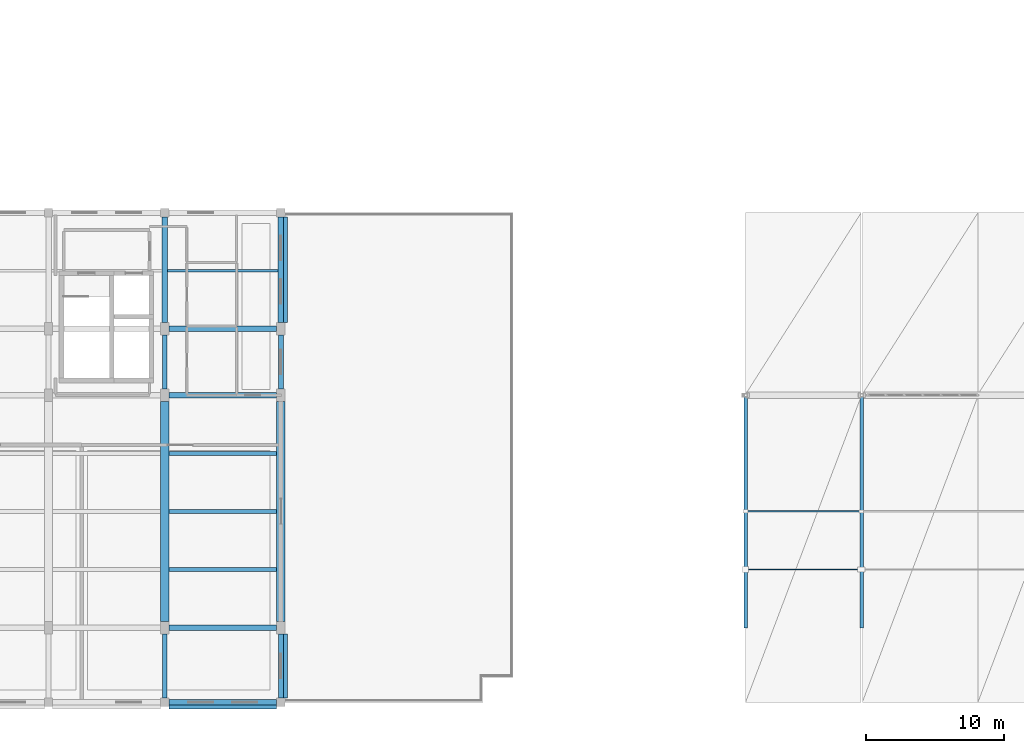
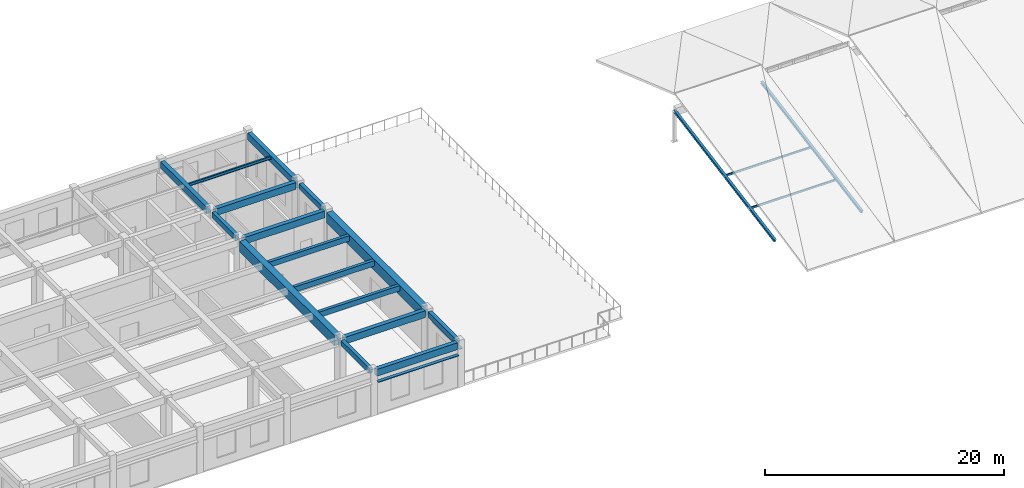
# One storey, part 23 of 76: 16 beams, 7 members.
"""IFC4 building model written with IfcOpenShell, lengths in metres."""

from ifc_helpers import new_model, si_unit, direction, frame, origin, origin_2d, place, context, subcontext, project, spatial, rectangle, hollow_rectangle, i_section, extrude, material, material_profile, profile_set, type_object, element, save


model = new_model("IFC4")

# Units and contexts
model_context = context("Model", 3, precision=1e-05, world=origin(), true_north=direction((0.0, 1.0)))
body_context = subcontext(model_context, "Body", "Model", "MODEL_VIEW")
ifc_project = project(units=[si_unit("LENGTHUNIT", "METRE"), si_unit("AREAUNIT", "SQUARE_METRE"), si_unit("VOLUMEUNIT", "CUBIC_METRE"), si_unit("PLANEANGLEUNIT", "RADIAN"), si_unit("MASSUNIT", "GRAM", prefix="KILO")], contexts=[model_context])

# Site, building, storey
site_placement = place(None, origin())
site = spatial("IfcSite", under=ifc_project, at=site_placement, CompositionType="ELEMENT")
building_placement = place(site_placement, origin())
building = spatial("IfcBuilding", under=site, at=building_placement, Name="Krzemoval Escarpment Law Courts", CompositionType="ELEMENT")
storey_placement = place(building_placement, frame((0.0, 0.0, 20.39990234375)))
storey = spatial("IfcBuildingStorey", under=building, at=storey_placement, Name="L04", CompositionType="ELEMENT", Elevation=20.39990234375)

# Beams
ifc_material_1 = material(Name="Concrete C50/60", Category="concrete")
ifc_material_profile_1 = material_profile(ifc_material_1, rectangle(XDim=0.60009765625, YDim=1.050048828125, at=origin_2d()), Name="PTG 600x1050")
ifc_profile_set_1 = profile_set([ifc_material_profile_1], Name="Concrete C50/60")
beam_type_1 = type_object("IfcBeamType", Name="BM-PTG-600x1050", PredefinedType="BEAM", material=ifc_profile_set_1)
for number, where, z_axis, x_axis, name in (
    (1, (67.199951171875, 5.85009765625, 4.025146484375), (0.0, 1.0, 0.0), (-1.0, 0.0, 0.0), "Beam FG-L04-2499"),
    (2, (75.60009765625, 5.85009765625, 4.025146484375), (0.0, 1.0, 0.0), (-1.0, 0.0, 0.0), "Beam FG-L04-2503"),
):
    element("IfcBeam", number, at=place(storey_placement, frame(where, z_axis=z_axis, x_axis=x_axis)), inside=storey, type_object=beam_type_1, Name=name, PredefinedType="BEAM", context=body_context, shape_type="SweptSolid", body=[
        extrude(rectangle(XDim=0.60009765625, YDim=1.050048828125, at=origin_2d()), origin(), (0.0, 0.0, 1.0), 15.89990234375),
    ])
ifc_material_2 = material(Name="Concrete C40/50", Category="concrete")
ifc_material_profile_2 = material_profile(ifc_material_2, rectangle(XDim=0.35009765625, YDim=0.550048828125, at=origin_2d()), Name="RCB 350x550")
ifc_profile_set_2 = profile_set([ifc_material_profile_2], Name="Concrete C40/50")
beam_type_2 = type_object("IfcBeamType", Name="BM-RC-350x550", PredefinedType="BEAM", material=ifc_profile_set_2)
beam_1_placement = place(storey_placement, frame((67.199951171875, 0.300048828125, 4.275146484375), z_axis=(0.0, 1.0, 0.0), x_axis=(-1.0, 0.0, 0.0)))
element("IfcBeam", 3, at=beam_1_placement, inside=storey, type_object=beam_type_2, Name="Beam FG-L04-2498", PredefinedType="BEAM", context=body_context, shape_type="SweptSolid", body=[
    extrude(rectangle(XDim=0.35009765625, YDim=0.550048828125, at=origin_2d()), origin(), (0.0, 0.0, 1.0), 4.64990234375),
])
beam_2_placement = place(storey_placement, frame((67.199951171875, 22.64990234375, 4.275146484375), z_axis=(0.0, 1.0, 0.0), x_axis=(-1.0, 0.0, 0.0)))
element("IfcBeam", 4, at=beam_2_placement, inside=storey, type_object=beam_type_2, Name="Beam FG-L04-2500", PredefinedType="BEAM", context=body_context, shape_type="SweptSolid", body=[
    extrude(rectangle(XDim=0.35009765625, YDim=0.550048828125, at=origin_2d()), origin(), (0.0, 0.0, 1.0), 3.900146484375),
])
beam_3_placement = place(storey_placement, frame((75.60009765625, 0.300048828125, 4.275146484375), z_axis=(0.0, 1.0, 0.0), x_axis=(-1.0, 0.0, 0.0)))
element("IfcBeam", 5, at=beam_3_placement, inside=storey, type_object=beam_type_2, Name="Beam FG-L04-2502", PredefinedType="BEAM", context=body_context, shape_type="SweptSolid", body=[
    extrude(rectangle(XDim=0.35009765625, YDim=0.550048828125, at=origin_2d()), origin(), (0.0, 0.0, 1.0), 4.64990234375),
])
beam_4_placement = place(storey_placement, frame((75.60009765625, 22.64990234375, 4.275146484375), z_axis=(0.0, 1.0, 0.0), x_axis=(-1.0, 0.0, 0.0)))
element("IfcBeam", 6, at=beam_4_placement, inside=storey, type_object=beam_type_2, Name="Beam FG-L04-2504", PredefinedType="BEAM", context=body_context, shape_type="SweptSolid", body=[
    extrude(rectangle(XDim=0.35009765625, YDim=0.550048828125, at=origin_2d()), origin(), (0.0, 0.0, 1.0), 3.900146484375),
])
ifc_material_3 = material(Name="Concrete C40/50", Category="concrete")
ifc_material_profile_3 = material_profile(ifc_material_3, rectangle(XDim=0.39990234375, YDim=0.699951171875, at=origin_2d()), Name="RCB 400x700")
ifc_profile_set_3 = profile_set([ifc_material_profile_3], Name="Concrete C40/50")
beam_type_3 = type_object("IfcBeamType", Name="BM-RC-400x700", PredefinedType="BEAM", material=ifc_profile_set_3)
for number, where, z_axis, x_axis, name in (
    (7, (67.5, 0.0, 4.2001953125), (1.0, 0.0, 0.0), (0.0, 1.0, 0.0), "Beam FG-L04-2428"),
    (8, (67.5, 5.39990234375, 4.2001953125), (1.0, 0.0, 0.0), (0.0, 1.0, 0.0), "Beam FG-L04-2433"),
    (9, (67.5, 22.199951171875, 4.2001953125), (1.0, 0.0, 0.0), (0.0, 1.0, 0.0), "Beam FG-L04-2438"),
    (10, (67.5, 27.0, 4.2001953125), (1.0, 0.0, 0.0), (0.0, 1.0, 0.0), "Beam FG-L04-2443"),
):
    element("IfcBeam", number, at=place(storey_placement, frame(where, z_axis=z_axis, x_axis=x_axis)), inside=storey, type_object=beam_type_3, Name=name, PredefinedType="BEAM", context=body_context, shape_type="SweptSolid", body=[
        extrude(rectangle(XDim=0.39990234375, YDim=0.699951171875, at=origin_2d()), origin(), (0.0, 0.0, 1.0), 7.800048828125),
    ])
for number, where, z_axis, x_axis, name in (
    (11, (67.199951171875, 27.449951171875, 4.2001953125), (0.0, 1.0, 0.0), (-1.0, 0.0, 0.0), "Beam FG-L04-2501"),
    (12, (75.60009765625, 27.449951171875, 4.2001953125), (0.0, 1.0, 0.0), (-1.0, 0.0, 0.0), "Beam FG-L04-2505"),
):
    element("IfcBeam", number, at=place(storey_placement, frame(where, z_axis=z_axis, x_axis=x_axis)), inside=storey, type_object=beam_type_3, Name=name, PredefinedType="BEAM", context=body_context, shape_type="SweptSolid", body=[
        extrude(rectangle(XDim=0.39990234375, YDim=0.699951171875, at=origin_2d()), origin(), (0.0, 0.0, 1.0), 7.650146484375),
    ])
ifc_material_4 = material(Name="Concrete C40/50", Category="concrete")
ifc_material_profile_4 = material_profile(ifc_material_4, rectangle(XDim=0.300048828125, YDim=0.550048828125, at=origin_2d()), Name="RCB 300x550")
ifc_profile_set_4 = profile_set([ifc_material_profile_4], Name="Concrete C40/50")
beam_type_4 = type_object("IfcBeamType", Name="JST-RC-300x550", PredefinedType="JOIST", material=ifc_profile_set_4)
for number, where, z_axis, x_axis, name in (
    (13, (67.5, 9.60009765625, 4.275146484375), (1.0, 0.0, 0.0), (0.0, 1.0, 0.0), "Secondary Joist FJ-L04-2560"),
    (14, (67.5, 13.800048828125, 4.275146484375), (1.0, 0.0, 0.0), (0.0, 1.0, 0.0), "Secondary Joist FJ-L04-2561"),
    (15, (67.5, 18.0, 4.275146484375), (1.0, 0.0, 0.0), (0.0, 1.0, 0.0), "Secondary Joist FJ-L04-2562"),
):
    element("IfcBeam", number, at=place(storey_placement, frame(where, z_axis=z_axis, x_axis=x_axis)), inside=storey, type_object=beam_type_4, Name=name, PredefinedType="JOIST", context=body_context, shape_type="SweptSolid", body=[
        extrude(rectangle(XDim=0.300048828125, YDim=0.550048828125, at=origin_2d()), origin(), (0.0, 0.0, 1.0), 7.800048828125),
    ])
ifc_material_5 = material(Name="Steel S355", Category="steel")
ifc_material_profile_5 = material_profile(ifc_material_5, i_section(OverallWidth=0.14990234375, OverallDepth=0.300048828125, WebThickness=0.007080078125, FlangeThickness=0.0107421875, at=origin_2d()), Name="IPE 300")
ifc_profile_set_5 = profile_set([ifc_material_profile_5], Name="Steel S355")
beam_type_5 = type_object("IfcBeamType", Name="JST-S355-IPE300", PredefinedType="JOIST", material=ifc_profile_set_5)
beam_5_placement = place(storey_placement, frame((67.39990234375, 31.199951171875, 4.400146484375), z_axis=(1.0, 0.0, 0.0), x_axis=(0.0, 1.0, 0.0)))
element("IfcBeam", 16, at=beam_5_placement, inside=storey, type_object=beam_type_5, Name="Secondary Joist FJ-L04-2563", PredefinedType="JOIST", context=body_context, shape_type="SweptSolid", body=[
    extrude(i_section(OverallWidth=0.14990234375, OverallDepth=0.300048828125, WebThickness=0.007080078125, FlangeThickness=0.0107421875, at=origin_2d()), origin(), (0.0, 0.0, 1.0), 8.0),
])

# Members
ifc_material_6 = material(Name="Anodised Aluminium Alloy 6063-T6", Category="aluminium")
ifc_material_profile_6 = material_profile(ifc_material_6, hollow_rectangle(XDim=0.06005859375, YDim=0.320068359375, WallThickness=0.00390625, at=origin_2d()), Name="ALU LVR 60x320")
ifc_profile_set_6 = profile_set([ifc_material_profile_6], Name="Anodised Aluminium Alloy 6063-T6")
member_type_1 = type_object("IfcMemberType", Name="LVR-ALU-320", PredefinedType="USERDEFINED", material=ifc_profile_set_6)
member_1_placement = place(storey_placement, frame((75.919921875, 35.10009765625, 3.41015625), z_axis=(0.0, -1.0, 0.0), x_axis=(0.0, 0.0, 1.0)))
element("IfcMember", 17, at=member_1_placement, inside=storey, type_object=member_type_1, Name="Window Sunshade Louvre FLV-L04-0830", ObjectType="SUNSHADE_LOUVRE", PredefinedType="USERDEFINED", context=body_context, shape_type="SweptSolid", body=[
    extrude(hollow_rectangle(XDim=0.06005859375, YDim=0.320068359375, WallThickness=0.00390625, at=origin_2d()), origin(), (0.0, 0.0, 1.0), 7.650146484375),
])
member_2_placement = place(storey_placement, frame((75.919921875, 4.949951171875, 3.41015625), z_axis=(0.0, -1.0, 0.0), x_axis=(0.0, 0.0, 1.0)))
element("IfcMember", 18, at=member_2_placement, inside=storey, type_object=member_type_1, Name="Window Sunshade Louvre FLV-L04-0831", ObjectType="SUNSHADE_LOUVRE", PredefinedType="USERDEFINED", context=body_context, shape_type="SweptSolid", body=[
    extrude(hollow_rectangle(XDim=0.06005859375, YDim=0.320068359375, WallThickness=0.00390625, at=origin_2d()), origin(), (0.0, 0.0, 1.0), 4.64990234375),
])
member_3_placement = place(storey_placement, frame((75.300048828125, -0.320068359375, 3.41015625), z_axis=(-1.0, 0.0, 0.0), x_axis=(0.0, 0.0, 1.0)))
element("IfcMember", 19, at=member_3_placement, inside=storey, type_object=member_type_1, Name="Window Sunshade Louvre FLV-L04-0832", ObjectType="SUNSHADE_LOUVRE", PredefinedType="USERDEFINED", context=body_context, shape_type="SweptSolid", body=[
    extrude(hollow_rectangle(XDim=0.06005859375, YDim=0.320068359375, WallThickness=0.00390625, at=origin_2d()), origin(), (0.0, 0.0, 1.0), 7.800048828125),
])
ifc_material_7 = material(Name="Steel S355", Category="steel")
ifc_material_profile_7 = material_profile(ifc_material_7, hollow_rectangle(XDim=0.10009765625, YDim=0.199951171875, WallThickness=0.008056640625, at=origin_2d()), Name="RHS 200x100x8")
ifc_profile_set_7 = profile_set([ifc_material_profile_7], Name="Steel S355")
member_type_2 = type_object("IfcMemberType", Name="MBR-PUR-RHS200", PredefinedType="PURLIN", material=ifc_profile_set_7)
for number, where, z_axis, x_axis, name in (
    (20, (109.199951171875, 13.800048828125, 1.260009765625), (1.0, 0.0, 0.0), (0.0, 1.0, 0.0), "Library Roof Purlin PR-0089"),
    (21, (109.199951171875, 9.60009765625, 0.489990234375), (1.0, 0.0, 0.0), (0.0, 1.0, 0.0), "Library Roof Purlin PR-0092"),
):
    element("IfcMember", number, at=place(storey_placement, frame(where, z_axis=z_axis, x_axis=x_axis)), inside=storey, type_object=member_type_2, Name=name, PredefinedType="PURLIN", context=body_context, shape_type="SweptSolid", body=[
        extrude(hollow_rectangle(XDim=0.10009765625, YDim=0.199951171875, WallThickness=0.008056640625, at=origin_2d()), origin(), (0.0, 0.0, 1.0), 8.360107421875),
    ])
ifc_material_8 = material(Name="Steel S355", Category="steel")
ifc_material_profile_8 = material_profile(ifc_material_8, i_section(OverallWidth=0.239990234375, OverallDepth=0.239990234375, WebThickness=0.010009765625, FlangeThickness=0.01708984375, at=origin_2d()), Name="HEB 240")
ifc_profile_set_8 = profile_set([ifc_material_profile_8], Name="Steel S355")
member_type_3 = type_object("IfcMemberType", Name="MBR-RAF-HEB240", PredefinedType="RAFTER", material=ifc_profile_set_8)
for number, where, z_axis, x_axis, name in (
    (22, (109.199951171875, 5.39990234375, -0.27978515625), (0.0, 0.98360837432, 0.180317957974), (-1.0, 0.0, 0.0), "Library Roof Rafter LRF-0085"),
    (23, (117.60009765625, 5.39990234375, -0.27978515625), (0.0, 0.98360837432, 0.180317957974), (-1.0, 0.0, 0.0), "Library Roof Rafter LRF-0086"),
):
    element("IfcMember", number, at=place(storey_placement, frame(where, z_axis=z_axis, x_axis=x_axis)), inside=storey, type_object=member_type_3, Name=name, PredefinedType="RAFTER", context=body_context, shape_type="SweptSolid", body=[
        extrude(i_section(OverallWidth=0.239990234375, OverallDepth=0.239990234375, WebThickness=0.010009765625, FlangeThickness=0.01708984375, at=origin_2d()), origin(), (0.0, 0.0, 1.0), 17.080078125),
    ])

save(model, "model.ifc")
